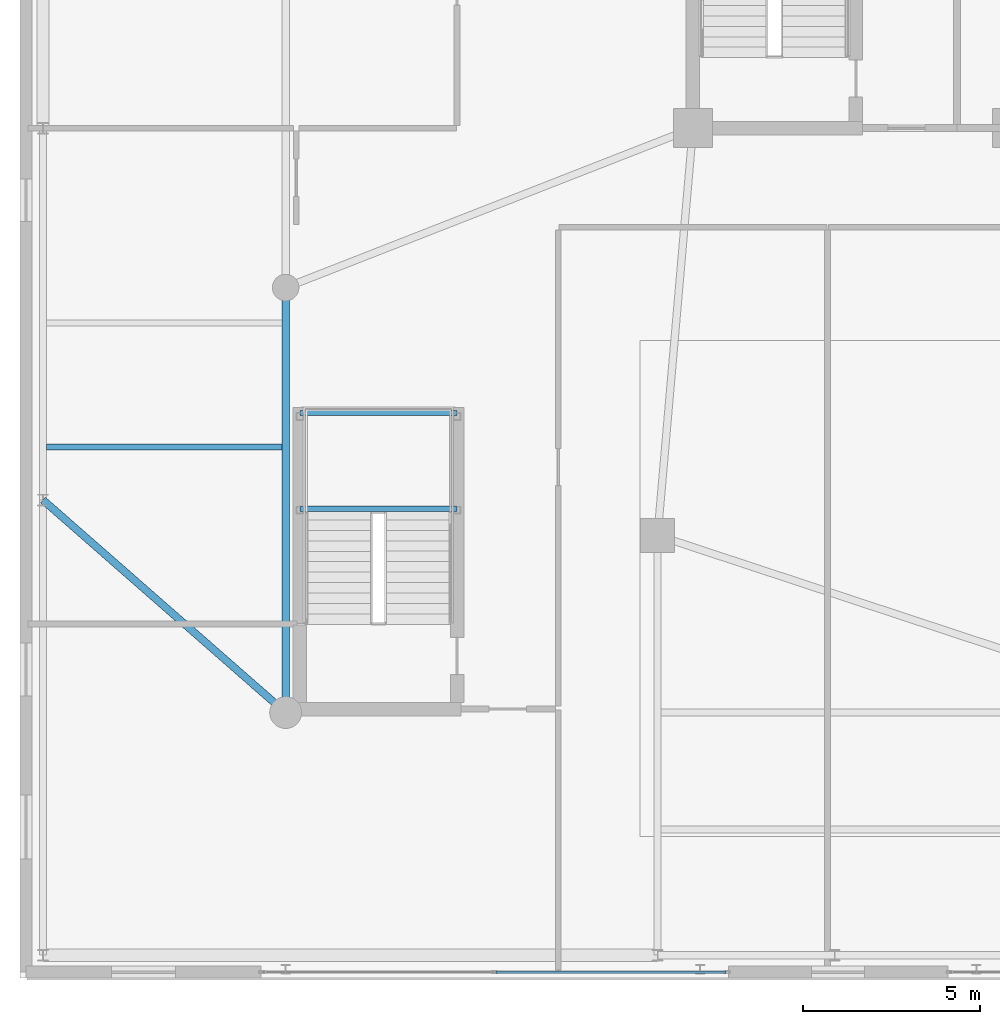
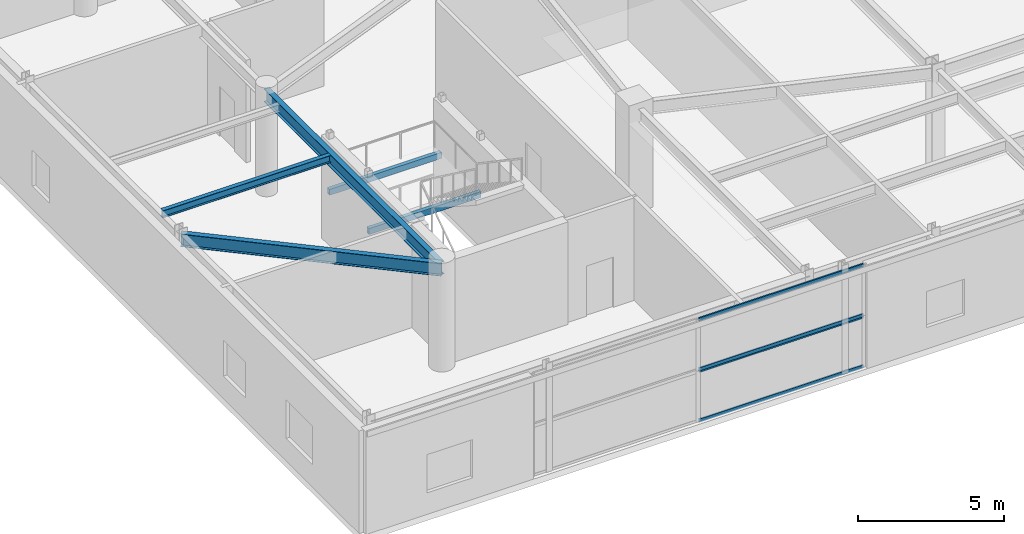
# One storey, part 9 of 26: 5 beams, 4 members, 2 elements without a shape of their own.
"""IFC4 building model written with IfcOpenShell, lengths in metres."""

from ifc_helpers import new_model, si_unit, direction, frame, origin, origin_2d, place, context, subcontext, project, spatial, hollow_rectangle, i_section, extrude, source, transform, mapped, material, layer, layer_set, material_profile, profile_set, type_object, element, aggregate, save


model = new_model("IFC4")

# Units and contexts
model_context = context("Model", 3, precision=1e-05, world=origin(), true_north=direction((0.0, 1.0)))
body_context = subcontext(model_context, "Body", "Model", "MODEL_VIEW")
ifc_project = project(units=[si_unit("LENGTHUNIT", "METRE"), si_unit("AREAUNIT", "SQUARE_METRE"), si_unit("VOLUMEUNIT", "CUBIC_METRE"), si_unit("PLANEANGLEUNIT", "RADIAN"), si_unit("MASSUNIT", "GRAM", prefix="KILO")], contexts=[model_context])

# Site, building, storey
site_placement = place(None, origin())
site = spatial("IfcSite", under=ifc_project, at=site_placement, CompositionType="ELEMENT")
building_placement = place(site_placement, origin())
building = spatial("IfcBuilding", under=site, at=building_placement, Name="Taldren Reach Tower", CompositionType="ELEMENT")
storey_placement = place(building_placement, frame((0.0, 0.0, 8.39990234375)))
storey = spatial("IfcBuildingStorey", under=building, at=storey_placement, Name="L02", CompositionType="ELEMENT", Elevation=8.39990234375)

# Beams
ifc_material_1 = material(Name="Steel Gr 350 (350PLUS)", Category="steel")
ifc_material_profile_1 = material_profile(ifc_material_1, i_section(OverallWidth=0.208984375, OverallDepth=0.532958984375, WebThickness=0.01025390625, FlangeThickness=0.015625, at=origin_2d()), Name="530UB92.4")
ifc_profile_set_1 = profile_set([ifc_material_profile_1], Name="Steel Gr 350 (350PLUS)")
beam_type_1 = type_object("IfcBeamType", Name="BM-UB530A", PredefinedType="BEAM", material=ifc_profile_set_1)
shared_shape_1 = source(origin(), body_context, "Body", "SweptSolid", [
    extrude(i_section(OverallWidth=0.208984375, OverallDepth=0.532958984375, WebThickness=0.01025390625, FlangeThickness=0.015625, at=origin_2d()), origin(), (0.0, 0.0, 1.0), 9.106201171875),
])
beam_1_placement = place(storey_placement, frame((0.64990234375, 13.5, 4.023681640625), z_axis=(0.75224111342, -0.658887932262, 0.0), x_axis=(0.658887932262, 0.75224111342, 0.0)))
element("IfcBeam", 1, at=beam_1_placement, inside=storey, type_object=beam_type_1, Name="Podium beam L02-PD18", PredefinedType="BEAM", context=body_context, shape_type="MappedRepresentation", body=[
    mapped(shared_shape_1, transform((0.0, 0.0, 0.0), scale=1.0)),
])
shared_shape_2 = source(origin(), body_context, "Body", "SweptSolid", [
    extrude(i_section(OverallWidth=0.208984375, OverallDepth=0.532958984375, WebThickness=0.01025390625, FlangeThickness=0.015625, at=origin_2d()), origin(), (0.0, 0.0, 1.0), 12.0),
])
beam_2_placement = place(storey_placement, frame((7.5, 7.5, 4.023681640625), z_axis=(0.0, 1.0, 0.0), x_axis=(-1.0, 0.0, 0.0)))
element("IfcBeam", 2, at=beam_2_placement, inside=storey, type_object=beam_type_1, Name="Podium beam L02-PD19", PredefinedType="BEAM", context=body_context, shape_type="MappedRepresentation", body=[
    mapped(shared_shape_2, transform((0.0, 0.0, 0.0), scale=1.0)),
])
ifc_material_2 = material(Name="Steel Gr 300 (300PLUS, 300 MPa)", Category="steel")
ifc_material_profile_2 = material_profile(ifc_material_2, i_section(OverallWidth=0.166015625, OverallDepth=0.306884765625, WebThickness=0.006591796875, FlangeThickness=0.01171875, at=origin_2d()), Name="310UB46.2")
ifc_profile_set_2 = profile_set([ifc_material_profile_2], Name="Steel Gr 300 (300PLUS, 300 MPa)")
beam_type_2 = type_object("IfcBeamType", Name="JS-UB310", PredefinedType="JOIST", material=ifc_profile_set_2)
shared_shape_3 = source(origin(), body_context, "Body", "SweptSolid", [
    extrude(i_section(OverallWidth=0.166015625, OverallDepth=0.306884765625, WebThickness=0.006591796875, FlangeThickness=0.01171875, at=origin_2d()), origin(), (0.0, 0.0, 1.0), 6.64111328125),
])
beam_3_placement = place(storey_placement, frame((0.75439453125, 15.0, 4.13671875), z_axis=(1.0, 0.0, 0.0), x_axis=(0.0, 1.0, 0.0)))
element("IfcBeam", 3, at=beam_3_placement, inside=storey, type_object=beam_type_2, Name="Podium wing floor joist L02-3.1", PredefinedType="JOIST", context=body_context, shape_type="MappedRepresentation", body=[
    mapped(shared_shape_3, transform((0.0, 0.0, 0.0), scale=1.0)),
])

# Curtain wall, members
ifc_material_3 = material(Name="Aluminium and Low-E Glass Unitised System", Category="aluminium")
ifc_layer = layer(ifc_material_3, 0.159912109375)
ifc_layer_set = layer_set([ifc_layer], Name="Aluminium and Low-E Glass Unitised System")
curtain_wall_type = type_object("IfcCurtainWallType", Name="CW-SYS-1", PredefinedType="NOTDEFINED", material=ifc_layer_set)
curtain_wall_1_placement = place(storey_placement, origin())
curtain_wall_1 = element("IfcCurtainWall", 4, at=curtain_wall_1_placement, inside=storey, type_object=curtain_wall_type, Name="Unitised curtain wall CW1-L02-S1", PredefinedType="NOTDEFINED")
ifc_material_4 = material(Name="Anodised Aluminium 6063-T6", Category="aluminium")
ifc_material_profile_3 = material_profile(ifc_material_4, hollow_rectangle(XDim=0.06005859375, YDim=0.135009765625, WallThickness=0.00341796875, at=origin_2d()), Name="ALU-135x60x3.5RHS")
ifc_profile_set_3 = profile_set([ifc_material_profile_3], Name="Anodised Aluminium 6063-T6")
member_type = type_object("IfcMemberType", Name="CW-TRN-150", PredefinedType="USERDEFINED", material=ifc_profile_set_3)
shared_shape_4 = source(origin(), body_context, "Body", "SweptSolid", [
    extrude(hollow_rectangle(XDim=0.06005859375, YDim=0.135009765625, WallThickness=0.00341796875, at=origin_2d()), origin(), (0.0, 0.0, 1.0), 6.494873046875),
])
member_1_placement = place(storey_placement, frame((13.43505859375, 0.169921875, 0.030029296875), z_axis=(1.0, 0.0, 0.0), x_axis=(0.0, 1.0, 0.0)))
member_1 = element("IfcMember", 5, at=member_1_placement, type_object=member_type, Name="CW-1 transom 2.1", ObjectType="TRANSOM", PredefinedType="USERDEFINED", context=body_context, shape_type="MappedRepresentation", body=[
    mapped(shared_shape_4, transform((0.0, 0.0, 0.0), scale=1.0)),
])
member_2_placement = place(storey_placement, frame((13.43505859375, 0.169921875, 2.114990234375), z_axis=(1.0, 0.0, 0.0), x_axis=(0.0, 1.0, 0.0)))
member_2 = element("IfcMember", 6, at=member_2_placement, type_object=member_type, Name="CW-1 transom 2.2", ObjectType="TRANSOM", PredefinedType="USERDEFINED", context=body_context, shape_type="MappedRepresentation", body=[
    mapped(shared_shape_4, transform((0.0, 0.0, 0.0), scale=1.0)),
])
aggregate(curtain_wall_1, [member_1, member_2])

curtain_wall_2_placement = place(storey_placement, origin())
curtain_wall_2 = element("IfcCurtainWall", 7, at=curtain_wall_2_placement, inside=storey, type_object=curtain_wall_type, Name="Unitised curtain wall CW1-L02-S1-T2", PredefinedType="NOTDEFINED")
member_3_placement = place(storey_placement, frame((13.43505859375, 0.169921875, 2.175048828125), z_axis=(1.0, 0.0, 0.0), x_axis=(0.0, 1.0, 0.0)))
member_3 = element("IfcMember", 8, at=member_3_placement, type_object=member_type, Name="CW-1 transom 2.1", ObjectType="TRANSOM", PredefinedType="USERDEFINED", context=body_context, shape_type="MappedRepresentation", body=[
    mapped(shared_shape_4, transform((0.0, 0.0, 0.0), scale=1.0)),
])
member_4_placement = place(storey_placement, frame((13.43505859375, 0.169921875, 4.260009765625), z_axis=(1.0, 0.0, 0.0), x_axis=(0.0, 1.0, 0.0)))
member_4 = element("IfcMember", 9, at=member_4_placement, type_object=member_type, Name="CW-1 transom 2.2", ObjectType="TRANSOM", PredefinedType="USERDEFINED", context=body_context, shape_type="MappedRepresentation", body=[
    mapped(shared_shape_4, transform((0.0, 0.0, 0.0), scale=1.0)),
])
aggregate(curtain_wall_2, [member_3, member_4])

# Beams
ifc_material_5 = material(Name="Steel Gr 350 (C350L0)", Category="steel")
ifc_material_profile_4 = material_profile(ifc_material_5, hollow_rectangle(XDim=0.14990234375, YDim=0.25, WallThickness=0.009033203125, at=origin_2d()), Name="250x150x9.0RHS")
ifc_profile_set_4 = profile_set([ifc_material_profile_4], Name="Steel Gr 350 (C350L0)")
beam_type_3 = type_object("IfcBeamType", Name="LN-RHS250", PredefinedType="LINTEL", material=ifc_profile_set_4)
shared_shape_5 = source(origin(), body_context, "Body", "SweptSolid", [
    extrude(hollow_rectangle(XDim=0.14990234375, YDim=0.25, WallThickness=0.009033203125, at=origin_2d()), origin(), (0.0, 0.0, 1.0), 4.440185546875),
])
for number, where, z_axis, x_axis, name in (
    (10, (7.89990234375, 13.2548828125, 1.97021484375), (1.0, 0.0, 0.0), (0.0, 1.0, 0.0), "Stair half-landing support beam ST3-L02-1"),
    (11, (7.89990234375, 15.9599609375, 1.97021484375), (1.0, 0.0, 0.0), (0.0, 1.0, 0.0), "Stair half-landing support beam ST3-L02-2"),
):
    element("IfcBeam", number, at=place(storey_placement, frame(where, z_axis=z_axis, x_axis=x_axis)), inside=storey, type_object=beam_type_3, Name=name, PredefinedType="LINTEL", context=body_context, shape_type="MappedRepresentation", body=[
        mapped(shared_shape_5, transform((0.0, 0.0, 0.0), scale=1.0)),
    ])

save(model, "model.ifc")
